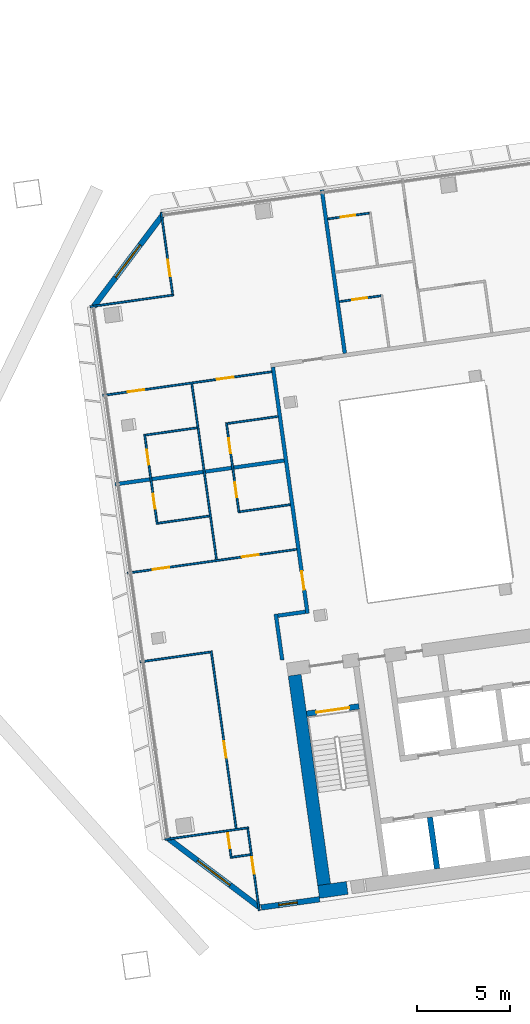
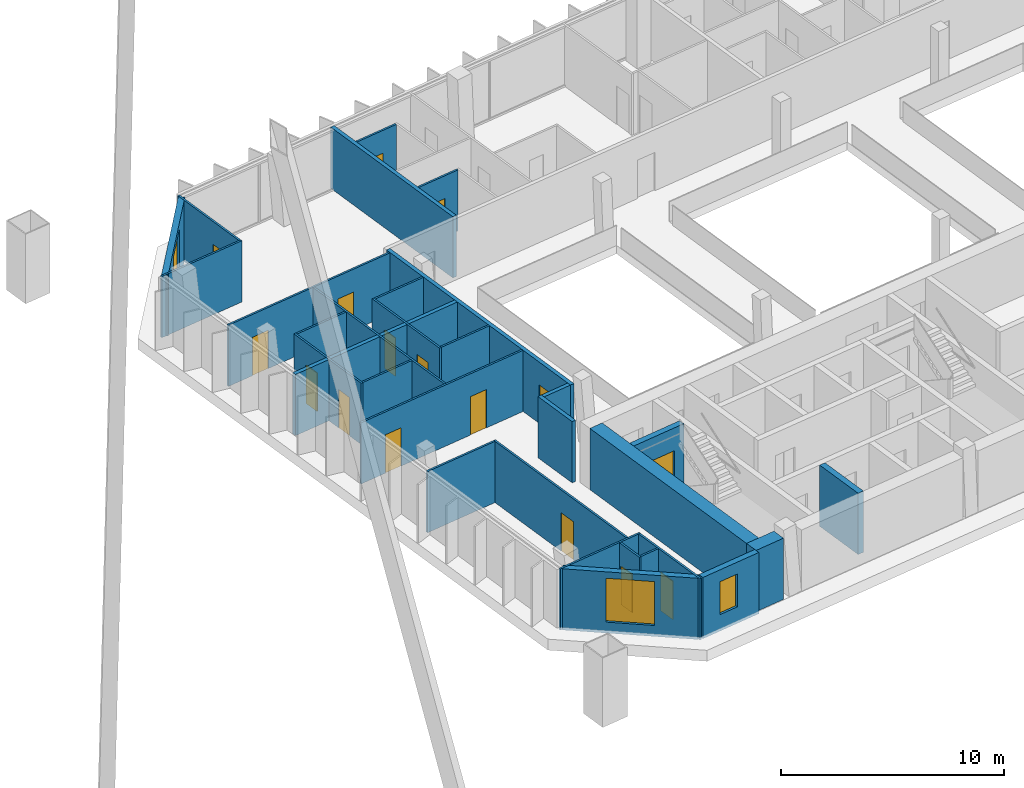
# One storey, part 20 of 26: 31 walls, 16 doors, 3 windows, 19 openings.
"""IFC4 building model written with IfcOpenShell, lengths in metres."""

from ifc_helpers import new_model, si_unit, direction, frame, frame_2d, origin, place, context, subcontext, project, spatial, rectangle, extrude, material, layer, layer_set, type_object, element, fill, save


model = new_model("IFC4")

# Units and contexts
model_context = context("Model", 3, precision=1e-05, world=origin(), true_north=direction((0.0, 1.0)))
body_context = subcontext(model_context, "Body", "Model", "MODEL_VIEW")
ifc_project = project(units=[si_unit("LENGTHUNIT", "METRE"), si_unit("AREAUNIT", "SQUARE_METRE"), si_unit("VOLUMEUNIT", "CUBIC_METRE"), si_unit("PLANEANGLEUNIT", "RADIAN"), si_unit("MASSUNIT", "GRAM", prefix="KILO")], contexts=[model_context])

# Site, building, storey
site_placement = place(None, origin())
site = spatial("IfcSite", under=ifc_project, at=site_placement, CompositionType="ELEMENT")
building_placement = place(site_placement, origin())
building = spatial("IfcBuilding", under=site, at=building_placement, Name="Mirante Cascada Hotel Towers", CompositionType="ELEMENT")
storey_placement = place(building_placement, frame((0.0, 0.0, 203.0)))
storey = spatial("IfcBuildingStorey", under=building, at=storey_placement, Name="L48", CompositionType="ELEMENT", Elevation=203.0)

# Walls
ifc_material_1 = material(Name="Fire-rated plasterboard on metal studs")
ifc_layer_1 = layer(ifc_material_1, 0.2)
ifc_layer_set_1 = layer_set([ifc_layer_1], Name="Compartment wall 200 EI 120")
wall_type_1 = type_object("IfcWallType", Name="Compartment wall 200 EI 120", PredefinedType="PARTITIONING", material=ifc_layer_set_1)
wall_1_placement = place(storey_placement, frame((35.0284, -4.7267, 0.0), z_axis=(0.0, 0.0, 1.0), x_axis=(0.9902735, 0.1391343, 0.0)))
element("IfcWall", 1, at=wall_1_placement, inside=storey, type_object=wall_type_1, Name="Wall 2-L48-07", PredefinedType="PARTITIONING", context=body_context, shape_type="SweptSolid", body=[
    extrude(rectangle(XDim=1.5, YDim=0.2, at=frame_2d((0.75, 0.0))), origin(), (0.0, 0.0, 1.0), 3.35),
])
wall_2_placement = place(storey_placement, frame((35.368, 3.6352, 0.0), z_axis=(0.0, 0.0, 1.0), x_axis=(-0.9902681, -0.1391729, 0.0)))
element("IfcWall", 2, at=wall_2_placement, inside=storey, type_object=wall_type_1, Name="Wall 2-L48-14", PredefinedType="PARTITIONING", context=body_context, shape_type="SweptSolid", body=[
    extrude(rectangle(XDim=9.2044, YDim=0.2, at=frame_2d((4.6022, 0.0))), origin(), (0.0, 0.0, 1.0), 3.35),
])
wall_3_placement = place(storey_placement, frame((35.2634, -7.1173, 0.0), z_axis=(0.0, 0.0, 1.0), x_axis=(-0.1391586, 0.9902701, 0.0)))
element("IfcWall", 3, at=wall_3_placement, inside=storey, type_object=wall_type_1, Name="Wall 2-L48-37", PredefinedType="PARTITIONING", context=body_context, shape_type="SweptSolid", body=[
    extrude(rectangle(XDim=2.5, YDim=0.2, at=frame_2d((1.25, 0.0))), origin(), (0.0, 0.0, 1.0), 3.35),
])

# Wall, opening, door
wall_4_placement = place(storey_placement, frame((34.7618, 8.6665, 0.0), z_axis=(0.0, 0.0, 1.0), x_axis=(0.1391789, -0.9902673, 0.0)))
wall_4 = element("IfcWall", 4, at=wall_4_placement, inside=storey, type_object=wall_type_1, Name="Wall 2-L48-38", PredefinedType="PARTITIONING", context=body_context, shape_type="SweptSolid", body=[
    extrude(rectangle(XDim=13.4, YDim=0.2, at=frame_2d((6.7, 0.0))), origin(), (0.0, 0.0, 1.0), 3.35),
])
opening_1_placement = place(wall_4_placement, frame((11.1, 0.0, 0.0)))
opening_1 = element("IfcOpeningElement", 5, at=opening_1_placement, cuts=wall_4, Name="Opening D2-L48-24", PredefinedType="OPENING", context=body_context, shape_type="SweptSolid", body=[
    extrude(rectangle(XDim=1.0, YDim=2.1, at=frame_2d((0.5, 1.05))), frame((0.0, 0.1, 0.0), z_axis=(0.0, -1.0, 0.0), x_axis=(1.0, 0.0, 0.0)), (0.0, 0.0, 1.0), 0.2),
])
ifc_material_2 = material(Name="Fire-rated timber door leaf", Category="wood")
door_type_1 = type_object("IfcDoorType", Name="Entrance door DG1 1000x2100 EI 60", OperationType="SINGLE_SWING_LEFT", PredefinedType="DOOR", material=ifc_material_2)
door_1_placement = place(opening_1_placement, frame((1.0, 0.0, 0.0), z_axis=(0.0, 0.0, 1.0), x_axis=(-1.0, 0.0, 0.0)))
door_1 = element("IfcDoor", 6, at=door_1_placement, inside=storey, type_object=door_type_1, Name="Door D2-L48-24", OperationType="SINGLE_SWING_RIGHT", OverallHeight=2.1, OverallWidth=1.0, PredefinedType="DOOR", context=body_context, shape_type="SweptSolid", body=[
    extrude(rectangle(XDim=1.0, YDim=2.1, at=frame_2d((0.5, 1.05))), frame((0.0, 0.025, 0.0), z_axis=(0.0, -1.0, 0.0), x_axis=(1.0, 0.0, 0.0)), (0.0, 0.0, 1.0), 0.05),
])
fill(opening_1, door_1)

# Walls
wall_5_placement = place(storey_placement, frame((38.6376, 9.4132, 0.0), z_axis=(0.0, 0.0, 1.0), x_axis=(-0.1391794, 0.9902672, 0.0)))
element("IfcWall", 7, at=wall_5_placement, inside=storey, type_object=wall_type_1, Name="Wall 2-L48-39", PredefinedType="PARTITIONING", context=body_context, shape_type="SweptSolid", body=[
    extrude(rectangle(XDim=8.9, YDim=0.2, at=frame_2d((4.45, 0.0))), origin(), (0.0, 0.0, 1.0), 3.35),
])
ifc_material_3 = material(Name="Plasterboard on metal studs")
ifc_layer_2 = layer(ifc_material_3, 0.1)
ifc_layer_set_2 = layer_set([ifc_layer_2], Name="Partition 100")
wall_type_2 = type_object("IfcWallType", Name="Partition 100", PredefinedType="PARTITIONING", material=ifc_layer_set_2)
wall_6_placement = place(storey_placement, frame((32.5621, -17.7467, 0.0), z_axis=(0.0, 0.0, 1.0), x_axis=(0.990265, 0.1391951, 0.0)))
element("IfcWall", 8, at=wall_6_placement, inside=storey, type_object=wall_type_2, Name="Wall 2-L48-01", PredefinedType="PARTITIONING", context=body_context, shape_type="SweptSolid", body=[
    extrude(rectangle(XDim=1.0, YDim=0.1, at=frame_2d((0.5, 0.0))), origin(), (0.0, 0.0, 1.0), 3.35),
])
wall_7_placement = place(storey_placement, frame((33.4496, -16.1577, 0.0), z_axis=(0.0, 0.0, 1.0), x_axis=(-0.9902691, -0.1391656, 0.0)))
element("IfcWall", 9, at=wall_7_placement, inside=storey, type_object=wall_type_2, Name="Wall 2-L48-02", PredefinedType="PARTITIONING", context=body_context, shape_type="SweptSolid", body=[
    extrude(rectangle(XDim=4.55, YDim=0.1, at=frame_2d((2.275, 0.0))), origin(), (0.0, 0.0, 1.0), 3.35),
])
wall_8_placement = place(storey_placement, frame((27.5986, -7.2183, 0.0), z_axis=(0.0, 0.0, 1.0), x_axis=(0.9902669, 0.1391813, 0.0)))
element("IfcWall", 10, at=wall_8_placement, inside=storey, type_object=wall_type_2, Name="Wall 2-L48-05", PredefinedType="PARTITIONING", context=body_context, shape_type="SweptSolid", body=[
    extrude(rectangle(XDim=3.8317, YDim=0.1, at=frame_2d((1.9158, 0.0))), origin(), (0.0, 0.0, 1.0), 3.35),
])

# Wall, openings, doors
wall_9_placement = place(storey_placement, frame((36.0406, -1.151, 0.0), z_axis=(0.0, 0.0, 1.0), x_axis=(-0.9902679, -0.1391744, 0.0)))
wall_9 = element("IfcWall", 11, at=wall_9_placement, inside=storey, type_object=wall_type_2, Name="Wall 2-L48-08", PredefinedType="PARTITIONING", context=body_context, shape_type="SweptSolid", body=[
    extrude(rectangle(XDim=9.2043, YDim=0.1, at=frame_2d((4.6022, 0.0))), origin(), (0.0, 0.0, 1.0), 3.35),
])
opening_2_placement = place(wall_9_placement, frame((6.9282, 0.0, 0.0)))
opening_2 = element("IfcOpeningElement", 12, at=opening_2_placement, cuts=wall_9, Name="Opening D2-L48-02", PredefinedType="OPENING", context=body_context, shape_type="SweptSolid", body=[
    extrude(rectangle(XDim=0.9, YDim=2.1, at=frame_2d((0.45, 1.05))), frame((0.0, 0.05, 0.0), z_axis=(0.0, -1.0, 0.0), x_axis=(1.0, 0.0, 0.0)), (0.0, 0.0, 1.0), 0.1),
])
opening_3_placement = place(wall_9_placement, frame((2.0761, 0.0, 0.0)))
opening_3 = element("IfcOpeningElement", 13, at=opening_3_placement, cuts=wall_9, Name="Opening D2-L48-03", PredefinedType="OPENING", context=body_context, shape_type="SweptSolid", body=[
    extrude(rectangle(XDim=0.9, YDim=2.1, at=frame_2d((0.45, 1.05))), frame((0.0, 0.05, 0.0), z_axis=(0.0, -1.0, 0.0), x_axis=(1.0, 0.0, 0.0)), (0.0, 0.0, 1.0), 0.1),
])
ifc_material_4 = material(Name="Timber door leaf", Category="wood")
door_type_2 = type_object("IfcDoorType", Name="Room door DG3 900x2100", OperationType="SINGLE_SWING_LEFT", PredefinedType="DOOR", material=ifc_material_4)
door_2_placement = place(opening_2_placement, origin())
door_2 = element("IfcDoor", 14, at=door_2_placement, inside=storey, type_object=door_type_2, Name="Door D2-L48-02", OperationType="SINGLE_SWING_LEFT", OverallHeight=2.1, OverallWidth=0.9, PredefinedType="DOOR", context=body_context, shape_type="SweptSolid", body=[
    extrude(rectangle(XDim=0.9, YDim=2.1, at=frame_2d((0.45, 1.05))), frame((0.0, 0.025, 0.0), z_axis=(0.0, -1.0, 0.0), x_axis=(1.0, 0.0, 0.0)), (0.0, 0.0, 1.0), 0.05),
])
fill(opening_2, door_2)
door_3_placement = place(opening_3_placement, origin())
door_3 = element("IfcDoor", 15, at=door_3_placement, inside=storey, type_object=door_type_2, Name="Door D2-L48-03", OperationType="SINGLE_SWING_LEFT", OverallHeight=2.1, OverallWidth=0.9, PredefinedType="DOOR", context=body_context, shape_type="SweptSolid", body=[
    extrude(rectangle(XDim=0.9, YDim=2.1, at=frame_2d((0.45, 1.05))), frame((0.0, 0.025, 0.0), z_axis=(0.0, -1.0, 0.0), x_axis=(1.0, 0.0, 0.0)), (0.0, 0.0, 1.0), 0.05),
])
fill(opening_3, door_3)

# Walls
wall_10_placement = place(storey_placement, frame((28.5699, 0.2562, 0.0), z_axis=(0.0, 0.0, 1.0), x_axis=(0.990267, 0.139181, 0.0)))
element("IfcWall", 16, at=wall_10_placement, inside=storey, type_object=wall_type_2, Name="Wall 2-L48-11", PredefinedType="PARTITIONING", context=body_context, shape_type="SweptSolid", body=[
    extrude(rectangle(XDim=2.8, YDim=0.1, at=frame_2d((1.4, 0.0))), origin(), (0.0, 0.0, 1.0), 3.35),
])
wall_11_placement = place(storey_placement, frame((35.702, 1.2586, 0.0), z_axis=(0.0, 0.0, 1.0), x_axis=(-0.9902648, -0.1391963, 0.0)))
element("IfcWall", 17, at=wall_11_placement, inside=storey, type_object=wall_type_2, Name="Wall 2-L48-12", PredefinedType="PARTITIONING", context=body_context, shape_type="SweptSolid", body=[
    extrude(rectangle(XDim=2.7501, YDim=0.1, at=frame_2d((1.3751, 0.0))), origin(), (0.0, 0.0, 1.0), 3.35),
])
wall_12_placement = place(storey_placement, frame((27.9018, 5.0095, 0.0), z_axis=(0.0, 0.0, 1.0), x_axis=(0.9902677, 0.139176, 0.0)))
element("IfcWall", 18, at=wall_12_placement, inside=storey, type_object=wall_type_2, Name="Wall 2-L48-15", PredefinedType="PARTITIONING", context=body_context, shape_type="SweptSolid", body=[
    extrude(rectangle(XDim=2.8001, YDim=0.1, at=frame_2d((1.4, 0.0))), origin(), (0.0, 0.0, 1.0), 3.35),
])
wall_13_placement = place(storey_placement, frame((35.034, 6.0119, 0.0), z_axis=(0.0, 0.0, 1.0), x_axis=(-0.9902648, -0.1391963, 0.0)))
element("IfcWall", 19, at=wall_13_placement, inside=storey, type_object=wall_type_2, Name="Wall 2-L48-16", PredefinedType="PARTITIONING", context=body_context, shape_type="SweptSolid", body=[
    extrude(rectangle(XDim=2.7501, YDim=0.1, at=frame_2d((1.3751, 0.0))), origin(), (0.0, 0.0, 1.0), 3.35),
])

# Wall, openings, doors
wall_14_placement = place(storey_placement, frame((25.5806, 7.1406, 0.0), z_axis=(0.0, 0.0, 1.0), x_axis=(0.9902679, 0.1391744, 0.0)))
wall_14 = element("IfcWall", 20, at=wall_14_placement, inside=storey, type_object=wall_type_2, Name="Wall 2-L48-17", PredefinedType="PARTITIONING", context=body_context, shape_type="SweptSolid", body=[
    extrude(rectangle(XDim=9.2043, YDim=0.1, at=frame_2d((4.6022, 0.0))), origin(), (0.0, 0.0, 1.0), 3.35),
])
opening_4_placement = place(wall_14_placement, frame((1.3761, 0.0, 0.0)))
opening_4 = element("IfcOpeningElement", 21, at=opening_4_placement, cuts=wall_14, Name="Opening D2-L48-04", PredefinedType="OPENING", context=body_context, shape_type="SweptSolid", body=[
    extrude(rectangle(XDim=0.9, YDim=2.1, at=frame_2d((0.45, 1.05))), frame((0.0, 0.05, 0.0), z_axis=(0.0, -1.0, 0.0), x_axis=(1.0, 0.0, 0.0)), (0.0, 0.0, 1.0), 0.1),
])
opening_5_placement = place(wall_14_placement, frame((6.2282, 0.0, 0.0)))
opening_5 = element("IfcOpeningElement", 22, at=opening_5_placement, cuts=wall_14, Name="Opening D2-L48-05", PredefinedType="OPENING", context=body_context, shape_type="SweptSolid", body=[
    extrude(rectangle(XDim=0.9, YDim=2.1, at=frame_2d((0.45, 1.05))), frame((0.0, 0.05, 0.0), z_axis=(0.0, -1.0, 0.0), x_axis=(1.0, 0.0, 0.0)), (0.0, 0.0, 1.0), 0.1),
])
door_4_placement = place(opening_4_placement, origin())
door_4 = element("IfcDoor", 23, at=door_4_placement, inside=storey, type_object=door_type_2, Name="Door D2-L48-04", OperationType="SINGLE_SWING_LEFT", OverallHeight=2.1, OverallWidth=0.9, PredefinedType="DOOR", context=body_context, shape_type="SweptSolid", body=[
    extrude(rectangle(XDim=0.9, YDim=2.1, at=frame_2d((0.45, 1.05))), frame((0.0, 0.025, 0.0), z_axis=(0.0, -1.0, 0.0), x_axis=(1.0, 0.0, 0.0)), (0.0, 0.0, 1.0), 0.05),
])
fill(opening_4, door_4)
door_5_placement = place(opening_5_placement, origin())
door_5 = element("IfcDoor", 24, at=door_5_placement, inside=storey, type_object=door_type_2, Name="Door D2-L48-05", OperationType="SINGLE_SWING_LEFT", OverallHeight=2.1, OverallWidth=0.9, PredefinedType="DOOR", context=body_context, shape_type="SweptSolid", body=[
    extrude(rectangle(XDim=0.9, YDim=2.1, at=frame_2d((0.45, 1.05))), frame((0.0, 0.025, 0.0), z_axis=(0.0, -1.0, 0.0), x_axis=(1.0, 0.0, 0.0)), (0.0, 0.0, 1.0), 0.05),
])
fill(opening_5, door_5)

# Wall, opening, door
wall_15_placement = place(storey_placement, frame((38.3469, 12.1999, 0.0), z_axis=(0.0, 0.0, 1.0), x_axis=(0.9902705, 0.1391561, 0.0)))
wall_15 = element("IfcWall", 25, at=wall_15_placement, inside=storey, type_object=wall_type_2, Name="Wall 2-L48-19", PredefinedType="PARTITIONING", context=body_context, shape_type="SweptSolid", body=[
    extrude(rectangle(XDim=2.25, YDim=0.1, at=frame_2d((1.125, 0.0))), origin(), (0.0, 0.0, 1.0), 3.35),
])
opening_6_placement = place(wall_15_placement, frame((0.7, 0.0, 0.0)))
opening_6 = element("IfcOpeningElement", 26, at=opening_6_placement, cuts=wall_15, Name="Opening D2-L48-09", PredefinedType="OPENING", context=body_context, shape_type="SweptSolid", body=[
    extrude(rectangle(XDim=0.8, YDim=2.1, at=frame_2d((0.4, 1.05))), frame((0.0, 0.05, 0.0), z_axis=(0.0, -1.0, 0.0), x_axis=(1.0, 0.0, 0.0)), (0.0, 0.0, 1.0), 0.1),
])
ifc_material_5 = material(Name="Timber door leaf", Category="wood")
door_type_3 = type_object("IfcDoorType", Name="Bathroom door DG4 800x2100", OperationType="SINGLE_SWING_LEFT", PredefinedType="DOOR", material=ifc_material_5)
door_6_placement = place(opening_6_placement, frame((0.8, 0.0, 0.0), z_axis=(0.0, 0.0, 1.0), x_axis=(-1.0, 0.0, 0.0)))
door_6 = element("IfcDoor", 27, at=door_6_placement, inside=storey, type_object=door_type_3, Name="Door D2-L48-09", OperationType="SINGLE_SWING_RIGHT", OverallHeight=2.1, OverallWidth=0.8, PredefinedType="DOOR", context=body_context, shape_type="SweptSolid", body=[
    extrude(rectangle(XDim=0.8, YDim=2.1, at=frame_2d((0.4, 1.05))), frame((0.0, 0.025, 0.0), z_axis=(0.0, -1.0, 0.0), x_axis=(1.0, 0.0, 0.0)), (0.0, 0.0, 1.0), 0.05),
])
fill(opening_6, door_6)

# Wall
wall_16_placement = place(storey_placement, frame((24.9079, 11.9269, 0.0), z_axis=(0.0, 0.0, 1.0), x_axis=(0.9902691, 0.1391656, 0.0)))
element("IfcWall", 28, at=wall_16_placement, inside=storey, type_object=wall_type_2, Name="Wall 2-L48-25", PredefinedType="PARTITIONING", context=body_context, shape_type="SweptSolid", body=[
    extrude(rectangle(XDim=4.55, YDim=0.1, at=frame_2d((2.275, 0.0))), origin(), (0.0, 0.0, 1.0), 3.35),
])

# Wall, opening, door
wall_17_placement = place(storey_placement, frame((39.9487, 16.9692, 0.0), z_axis=(0.0, 0.0, 1.0), x_axis=(-0.9902705, -0.1391561, 0.0)))
wall_17 = element("IfcWall", 29, at=wall_17_placement, inside=storey, type_object=wall_type_2, Name="Wall 2-L48-28", PredefinedType="PARTITIONING", context=body_context, shape_type="SweptSolid", body=[
    extrude(rectangle(XDim=2.25, YDim=0.1, at=frame_2d((1.125, 0.0))), origin(), (0.0, 0.0, 1.0), 3.35),
])
opening_7_placement = place(wall_17_placement, frame((0.75, 0.0, 0.0)))
opening_7 = element("IfcOpeningElement", 30, at=opening_7_placement, cuts=wall_17, Name="Opening D2-L48-14", PredefinedType="OPENING", context=body_context, shape_type="SweptSolid", body=[
    extrude(rectangle(XDim=0.8, YDim=2.1, at=frame_2d((0.4, 1.05))), frame((0.0, 0.05, 0.0), z_axis=(0.0, -1.0, 0.0), x_axis=(1.0, 0.0, 0.0)), (0.0, 0.0, 1.0), 0.1),
])
door_7_placement = place(opening_7_placement, origin())
door_7 = element("IfcDoor", 31, at=door_7_placement, inside=storey, type_object=door_type_3, Name="Door D2-L48-14", OperationType="SINGLE_SWING_LEFT", OverallHeight=2.1, OverallWidth=0.8, PredefinedType="DOOR", context=body_context, shape_type="SweptSolid", body=[
    extrude(rectangle(XDim=0.8, YDim=2.1, at=frame_2d((0.4, 1.05))), frame((0.0, 0.025, 0.0), z_axis=(0.0, -1.0, 0.0), x_axis=(1.0, 0.0, 0.0)), (0.0, 0.0, 1.0), 0.05),
])
fill(opening_7, door_7)

# Wall, openings, doors
wall_18_placement = place(storey_placement, frame((27.8454, 5.0521, 0.0), z_axis=(0.0, 0.0, 1.0), x_axis=(0.1391638, -0.9902694, 0.0)))
wall_18 = element("IfcWall", 32, at=wall_18_placement, inside=storey, type_object=wall_type_2, Name="Wall 2-L48-30", PredefinedType="PARTITIONING", context=body_context, shape_type="SweptSolid", body=[
    extrude(rectangle(XDim=4.9, YDim=0.1, at=frame_2d((2.45, 0.0))), origin(), (0.0, 0.0, 1.0), 3.35),
])
opening_8_placement = place(wall_18_placement, frame((3.25, 0.0, 0.0)))
opening_8 = element("IfcOpeningElement", 33, at=opening_8_placement, cuts=wall_18, Name="Opening D2-L48-16", PredefinedType="OPENING", context=body_context, shape_type="SweptSolid", body=[
    extrude(rectangle(XDim=0.8, YDim=2.1, at=frame_2d((0.4, 1.05))), frame((0.0, 0.05, 0.0), z_axis=(0.0, -1.0, 0.0), x_axis=(1.0, 0.0, 0.0)), (0.0, 0.0, 1.0), 0.1),
])
opening_9_placement = place(wall_18_placement, frame((0.85, 0.0, 0.0)))
opening_9 = element("IfcOpeningElement", 34, at=opening_9_placement, cuts=wall_18, Name="Opening D2-L48-17", PredefinedType="OPENING", context=body_context, shape_type="SweptSolid", body=[
    extrude(rectangle(XDim=0.8, YDim=2.1, at=frame_2d((0.4, 1.05))), frame((0.0, 0.05, 0.0), z_axis=(0.0, -1.0, 0.0), x_axis=(1.0, 0.0, 0.0)), (0.0, 0.0, 1.0), 0.1),
])
door_8_placement = place(opening_8_placement, origin())
door_8 = element("IfcDoor", 35, at=door_8_placement, inside=storey, type_object=door_type_3, Name="Door D2-L48-16", OperationType="SINGLE_SWING_LEFT", OverallHeight=2.1, OverallWidth=0.8, PredefinedType="DOOR", context=body_context, shape_type="SweptSolid", body=[
    extrude(rectangle(XDim=0.8, YDim=2.1, at=frame_2d((0.4, 1.05))), frame((0.0, 0.025, 0.0), z_axis=(0.0, -1.0, 0.0), x_axis=(1.0, 0.0, 0.0)), (0.0, 0.0, 1.0), 0.05),
])
fill(opening_8, door_8)
door_9_placement = place(opening_9_placement, origin())
door_9 = element("IfcDoor", 36, at=door_9_placement, inside=storey, type_object=door_type_3, Name="Door D2-L48-17", OperationType="SINGLE_SWING_LEFT", OverallHeight=2.1, OverallWidth=0.8, PredefinedType="DOOR", context=body_context, shape_type="SweptSolid", body=[
    extrude(rectangle(XDim=0.8, YDim=2.1, at=frame_2d((0.4, 1.05))), frame((0.0, 0.025, 0.0), z_axis=(0.0, -1.0, 0.0), x_axis=(1.0, 0.0, 0.0)), (0.0, 0.0, 1.0), 0.05),
])
fill(opening_9, door_9)

# Wall, opening, door
wall_19_placement = place(storey_placement, frame((32.5196, -17.8031, 0.0), z_axis=(0.0, 0.0, 1.0), x_axis=(-0.1391714, 0.9902683, 0.0)))
wall_19 = element("IfcWall", 37, at=wall_19_placement, inside=storey, type_object=wall_type_2, Name="Wall 2-L48-31", PredefinedType="PARTITIONING", context=body_context, shape_type="SweptSolid", body=[
    extrude(rectangle(XDim=1.45, YDim=0.1, at=frame_2d((0.725, 0.0))), origin(), (0.0, 0.0, 1.0), 3.35),
])
opening_10_placement = place(wall_19_placement, frame((0.55, 0.0, 0.0)))
opening_10 = element("IfcOpeningElement", 38, at=opening_10_placement, cuts=wall_19, Name="Opening D2-L48-18", PredefinedType="OPENING", context=body_context, shape_type="SweptSolid", body=[
    extrude(rectangle(XDim=0.8, YDim=2.1, at=frame_2d((0.4, 1.05))), frame((0.0, 0.05, 0.0), z_axis=(0.0, -1.0, 0.0), x_axis=(1.0, 0.0, 0.0)), (0.0, 0.0, 1.0), 0.1),
])
door_10_placement = place(opening_10_placement, frame((0.8, 0.0, 0.0), z_axis=(0.0, 0.0, 1.0), x_axis=(-1.0, 0.0, 0.0)))
door_10 = element("IfcDoor", 39, at=door_10_placement, inside=storey, type_object=door_type_3, Name="Door D2-L48-18", OperationType="SINGLE_SWING_RIGHT", OverallHeight=2.1, OverallWidth=0.8, PredefinedType="DOOR", context=body_context, shape_type="SweptSolid", body=[
    extrude(rectangle(XDim=0.8, YDim=2.1, at=frame_2d((0.4, 1.05))), frame((0.0, 0.025, 0.0), z_axis=(0.0, -1.0, 0.0), x_axis=(1.0, 0.0, 0.0)), (0.0, 0.0, 1.0), 0.05),
])
fill(opening_10, door_10)

wall_20_placement = place(storey_placement, frame((31.4355, -6.6286, 0.0), z_axis=(0.0, 0.0, 1.0), x_axis=(0.1391791, -0.9902672, 0.0)))
wall_20 = element("IfcWall", 40, at=wall_20_placement, inside=storey, type_object=wall_type_2, Name="Wall 2-L48-32", PredefinedType="PARTITIONING", context=body_context, shape_type="SweptSolid", body=[
    extrude(rectangle(XDim=9.6667, YDim=0.1, at=frame_2d((4.8334, 0.0))), origin(), (0.0, 0.0, 1.0), 3.35),
])
opening_11_placement = place(wall_20_placement, frame((4.9167, 0.0, 0.0)))
opening_11 = element("IfcOpeningElement", 41, at=opening_11_placement, cuts=wall_20, Name="Opening D2-L48-19", PredefinedType="OPENING", context=body_context, shape_type="SweptSolid", body=[
    extrude(rectangle(XDim=0.9, YDim=2.1, at=frame_2d((0.45, 1.05))), frame((0.0, 0.05, 0.0), z_axis=(0.0, -1.0, 0.0), x_axis=(1.0, 0.0, 0.0)), (0.0, 0.0, 1.0), 0.1),
])
door_11_placement = place(opening_11_placement, origin())
door_11 = element("IfcDoor", 42, at=door_11_placement, inside=storey, type_object=door_type_2, Name="Door D2-L48-19", OperationType="SINGLE_SWING_LEFT", OverallHeight=2.1, OverallWidth=0.9, PredefinedType="DOOR", context=body_context, shape_type="SweptSolid", body=[
    extrude(rectangle(XDim=0.9, YDim=2.1, at=frame_2d((0.45, 1.05))), frame((0.0, 0.025, 0.0), z_axis=(0.0, -1.0, 0.0), x_axis=(1.0, 0.0, 0.0)), (0.0, 0.0, 1.0), 0.05),
])
fill(opening_11, door_11)

wall_21_placement = place(storey_placement, frame((34.0264, -20.6208, 0.0), z_axis=(0.0, 0.0, 1.0), x_axis=(-0.1391715, 0.9902683, 0.0)))
wall_21 = element("IfcWall", 43, at=wall_21_placement, inside=storey, type_object=wall_type_2, Name="Wall 2-L48-33", PredefinedType="PARTITIONING", context=body_context, shape_type="SweptSolid", body=[
    extrude(rectangle(XDim=4.4499, YDim=0.1, at=frame_2d((2.225, 0.0))), origin(), (0.0, 0.0, 1.0), 3.35),
])
opening_12_placement = place(wall_21_placement, frame((2.0, 0.0, 0.0)))
opening_12 = element("IfcOpeningElement", 44, at=opening_12_placement, cuts=wall_21, Name="Opening D2-L48-20", PredefinedType="OPENING", context=body_context, shape_type="SweptSolid", body=[
    extrude(rectangle(XDim=0.9, YDim=2.1, at=frame_2d((0.45, 1.05))), frame((0.0, 0.05, 0.0), z_axis=(0.0, -1.0, 0.0), x_axis=(1.0, 0.0, 0.0)), (0.0, 0.0, 1.0), 0.1),
])
door_12_placement = place(opening_12_placement, frame((0.9, 0.0, 0.0), z_axis=(0.0, 0.0, 1.0), x_axis=(-1.0, 0.0, 0.0)))
door_12 = element("IfcDoor", 45, at=door_12_placement, inside=storey, type_object=door_type_2, Name="Door D2-L48-20", OperationType="SINGLE_SWING_RIGHT", OverallHeight=2.1, OverallWidth=0.9, PredefinedType="DOOR", context=body_context, shape_type="SweptSolid", body=[
    extrude(rectangle(XDim=0.9, YDim=2.1, at=frame_2d((0.45, 1.05))), frame((0.0, 0.025, 0.0), z_axis=(0.0, -1.0, 0.0), x_axis=(1.0, 0.0, 0.0)), (0.0, 0.0, 1.0), 0.05),
])
fill(opening_12, door_12)

wall_22_placement = place(storey_placement, frame((28.7378, 17.0093, 0.0), z_axis=(0.0, 0.0, 1.0), x_axis=(0.1391684, -0.9902687, 0.0)))
wall_22 = element("IfcWall", 46, at=wall_22_placement, inside=storey, type_object=wall_type_2, Name="Wall 2-L48-34", PredefinedType="PARTITIONING", context=body_context, shape_type="SweptSolid", body=[
    extrude(rectangle(XDim=4.45, YDim=0.1, at=frame_2d((2.225, 0.0))), origin(), (0.0, 0.0, 1.0), 3.35),
])
opening_13_placement = place(wall_22_placement, frame((2.5833, 0.0, 0.0)))
opening_13 = element("IfcOpeningElement", 47, at=opening_13_placement, cuts=wall_22, Name="Opening D2-L48-21", PredefinedType="OPENING", context=body_context, shape_type="SweptSolid", body=[
    extrude(rectangle(XDim=0.9, YDim=2.1, at=frame_2d((0.45, 1.05))), frame((0.0, 0.05, 0.0), z_axis=(0.0, -1.0, 0.0), x_axis=(1.0, 0.0, 0.0)), (0.0, 0.0, 1.0), 0.1),
])
door_13_placement = place(opening_13_placement, origin())
door_13 = element("IfcDoor", 48, at=door_13_placement, inside=storey, type_object=door_type_2, Name="Door D2-L48-21", OperationType="SINGLE_SWING_LEFT", OverallHeight=2.1, OverallWidth=0.9, PredefinedType="DOOR", context=body_context, shape_type="SweptSolid", body=[
    extrude(rectangle(XDim=0.9, YDim=2.1, at=frame_2d((0.45, 1.05))), frame((0.0, 0.025, 0.0), z_axis=(0.0, -1.0, 0.0), x_axis=(1.0, 0.0, 0.0)), (0.0, 0.0, 1.0), 0.05),
])
fill(opening_13, door_13)

# Wall
wall_23_placement = place(storey_placement, frame((31.7238, -1.7072, 0.0), z_axis=(0.0, 0.0, 1.0), x_axis=(-0.1391703, 0.9902685, 0.0)))
element("IfcWall", 49, at=wall_23_placement, inside=storey, type_object=wall_type_2, Name="Wall 2-L48-35", PredefinedType="PARTITIONING", context=body_context, shape_type="SweptSolid", body=[
    extrude(rectangle(XDim=9.5667, YDim=0.1, at=frame_2d((4.7834, 0.0))), origin(), (0.0, 0.0, 1.0), 3.35),
])

# Wall, openings, doors
wall_24_placement = place(storey_placement, frame((32.2542, 5.6717, 0.0), z_axis=(0.0, 0.0, 1.0), x_axis=(0.1391838, -0.9902666, 0.0)))
wall_24 = element("IfcWall", 50, at=wall_24_placement, inside=storey, type_object=wall_type_2, Name="Wall 2-L48-36", PredefinedType="PARTITIONING", context=body_context, shape_type="SweptSolid", body=[
    extrude(rectangle(XDim=4.9, YDim=0.1, at=frame_2d((2.45, 0.0))), origin(), (0.0, 0.0, 1.0), 3.35),
])
opening_14_placement = place(wall_24_placement, frame((3.25, 0.0, 0.0)))
opening_14 = element("IfcOpeningElement", 51, at=opening_14_placement, cuts=wall_24, Name="Opening D2-L48-22", PredefinedType="OPENING", context=body_context, shape_type="SweptSolid", body=[
    extrude(rectangle(XDim=0.8, YDim=2.1, at=frame_2d((0.4, 1.05))), frame((0.0, 0.05, 0.0), z_axis=(0.0, -1.0, 0.0), x_axis=(1.0, 0.0, 0.0)), (0.0, 0.0, 1.0), 0.1),
])
opening_15_placement = place(wall_24_placement, frame((0.85, 0.0, 0.0)))
opening_15 = element("IfcOpeningElement", 52, at=opening_15_placement, cuts=wall_24, Name="Opening D2-L48-23", PredefinedType="OPENING", context=body_context, shape_type="SweptSolid", body=[
    extrude(rectangle(XDim=0.8, YDim=2.1, at=frame_2d((0.4, 1.05))), frame((0.0, 0.05, 0.0), z_axis=(0.0, -1.0, 0.0), x_axis=(1.0, 0.0, 0.0)), (0.0, 0.0, 1.0), 0.1),
])
door_14_placement = place(opening_14_placement, origin())
door_14 = element("IfcDoor", 53, at=door_14_placement, inside=storey, type_object=door_type_3, Name="Door D2-L48-22", OperationType="SINGLE_SWING_LEFT", OverallHeight=2.1, OverallWidth=0.8, PredefinedType="DOOR", context=body_context, shape_type="SweptSolid", body=[
    extrude(rectangle(XDim=0.8, YDim=2.1, at=frame_2d((0.4, 1.05))), frame((0.0, 0.025, 0.0), z_axis=(0.0, -1.0, 0.0), x_axis=(1.0, 0.0, 0.0)), (0.0, 0.0, 1.0), 0.05),
])
fill(opening_14, door_14)
door_15_placement = place(opening_15_placement, origin())
door_15 = element("IfcDoor", 54, at=door_15_placement, inside=storey, type_object=door_type_3, Name="Door D2-L48-23", OperationType="SINGLE_SWING_LEFT", OverallHeight=2.1, OverallWidth=0.8, PredefinedType="DOOR", context=body_context, shape_type="SweptSolid", body=[
    extrude(rectangle(XDim=0.8, YDim=2.1, at=frame_2d((0.4, 1.05))), frame((0.0, 0.025, 0.0), z_axis=(0.0, -1.0, 0.0), x_axis=(1.0, 0.0, 0.0)), (0.0, 0.0, 1.0), 0.05),
])
fill(opening_15, door_15)

# Wall, opening, window
ifc_material_6 = material(Name="Precast concrete C40/50", Category="concrete")
ifc_layer_3 = layer(ifc_material_6, 0.3)
ifc_layer_set_3 = layer_set([ifc_layer_3], Name="Precast concrete C40/50 cladding wall 300")
wall_type_3 = type_object("IfcWallType", Name="Precast concrete C40/50 cladding wall 300", PredefinedType="STANDARD", material=ifc_layer_set_3)
wall_25_placement = place(storey_placement, frame((34.1284, -20.455, 0.0), z_axis=(0.0, 0.0, 1.0), x_axis=(0.9902683, 0.1391715, 0.0)))
wall_25 = element("IfcWall", 55, at=wall_25_placement, inside=storey, type_object=wall_type_3, Name="Rear cladding wall T2 L48 1", PredefinedType="STANDARD", context=body_context, shape_type="SweptSolid", body=[
    extrude(rectangle(XDim=3.1802, YDim=0.3, at=frame_2d((1.5901, 0.0))), origin(), (0.0, 0.0, 1.0), 3.35),
])
opening_16_placement = place(wall_25_placement, frame((0.9601, 0.0, 0.9)))
opening_16 = element("IfcOpeningElement", 56, at=opening_16_placement, cuts=wall_25, Name="Opening W2-48-05", PredefinedType="OPENING", context=body_context, shape_type="SweptSolid", body=[
    extrude(rectangle(XDim=1.0, YDim=1.8, at=frame_2d((0.5, 0.9))), frame((0.0, 0.15, 0.0), z_axis=(0.0, -1.0, 0.0), x_axis=(1.0, 0.0, 0.0)), (0.0, 0.0, 1.0), 0.3),
])
ifc_material_7 = material(Name="Aluminium frame with clear double glazing", Category="aluminium")
window_type_1 = type_object("IfcWindowType", Name="Punched window 1000x1800", PartitioningType="SINGLE_PANEL", PredefinedType="WINDOW", material=ifc_material_7)
window_1_placement = place(opening_16_placement, origin())
window_1 = element("IfcWindow", 57, at=window_1_placement, inside=storey, type_object=window_type_1, Name="Window W2-48-05", OverallHeight=1.8, OverallWidth=1.0, PartitioningType="SINGLE_PANEL", PredefinedType="WINDOW", context=body_context, shape_type="SweptSolid", body=[
    extrude(rectangle(XDim=1.0, YDim=1.8, at=frame_2d((0.5, 0.9))), frame((0.0, 0.03, 0.0), z_axis=(0.0, -1.0, 0.0), x_axis=(1.0, 0.0, 0.0)), (0.0, 0.0, 1.0), 0.06),
])
fill(opening_16, window_1)

wall_26_placement = place(storey_placement, frame((28.7829, 16.8199, 0.0), z_axis=(0.0, 0.0, 1.0), x_axis=(-0.6018141, -0.7986362, 0.0)))
wall_26 = element("IfcWall", 58, at=wall_26_placement, inside=storey, type_object=wall_type_3, Name="Corner cladding wall T2 L48 front inner", PredefinedType="STANDARD", context=body_context, shape_type="SweptSolid", body=[
    extrude(rectangle(XDim=6.1157, YDim=0.3, at=frame_2d((3.0578, 0.0))), origin(), (0.0, 0.0, 1.0), 3.35),
])
opening_17_placement = place(wall_26_placement, frame((1.9578, 0.0, 0.6)))
opening_17 = element("IfcOpeningElement", 59, at=opening_17_placement, cuts=wall_26, Name="Opening W2-48-03", PredefinedType="OPENING", context=body_context, shape_type="SweptSolid", body=[
    extrude(rectangle(XDim=2.2, YDim=2.4, at=frame_2d((1.1, 1.2))), frame((0.0, 0.15, 0.0), z_axis=(0.0, -1.0, 0.0), x_axis=(1.0, 0.0, 0.0)), (0.0, 0.0, 1.0), 0.3),
])
ifc_material_8 = material(Name="Aluminium frame with clear double glazing", Category="aluminium")
window_type_2 = type_object("IfcWindowType", Name="Corner suite window 2200x2400", PartitioningType="DOUBLE_PANEL_VERTICAL", PredefinedType="WINDOW", material=ifc_material_8)
window_2_placement = place(opening_17_placement, origin())
window_2 = element("IfcWindow", 60, at=window_2_placement, inside=storey, type_object=window_type_2, Name="Window W2-48-03", OverallHeight=2.4, OverallWidth=2.2, PartitioningType="SINGLE_PANEL", PredefinedType="WINDOW", context=body_context, shape_type="SweptSolid", body=[
    extrude(rectangle(XDim=2.2, YDim=2.4, at=frame_2d((1.1, 1.2))), frame((0.0, 0.03, 0.0), z_axis=(0.0, -1.0, 0.0), x_axis=(1.0, 0.0, 0.0)), (0.0, 0.0, 1.0), 0.06),
])
fill(opening_17, window_2)

wall_27_placement = place(storey_placement, frame((29.1333, -16.7458, 0.0), z_axis=(0.0, 0.0, 1.0), x_axis=(0.7986283, -0.6018245, 0.0)))
wall_27 = element("IfcWall", 61, at=wall_27_placement, inside=storey, type_object=wall_type_3, Name="Corner cladding wall T2 L48 inner rear", PredefinedType="STANDARD", context=body_context, shape_type="SweptSolid", body=[
    extrude(rectangle(XDim=6.1157, YDim=0.3, at=frame_2d((3.0578, 0.0))), origin(), (0.0, 0.0, 1.0), 3.35),
])
opening_18_placement = place(wall_27_placement, frame((1.9578, 0.0, 0.6)))
opening_18 = element("IfcOpeningElement", 62, at=opening_18_placement, cuts=wall_27, Name="Opening W2-48-04", PredefinedType="OPENING", context=body_context, shape_type="SweptSolid", body=[
    extrude(rectangle(XDim=2.2, YDim=2.4, at=frame_2d((1.1, 1.2))), frame((0.0, 0.15, 0.0), z_axis=(0.0, -1.0, 0.0), x_axis=(1.0, 0.0, 0.0)), (0.0, 0.0, 1.0), 0.3),
])
window_3_placement = place(opening_18_placement, origin())
window_3 = element("IfcWindow", 63, at=window_3_placement, inside=storey, type_object=window_type_2, Name="Window W2-48-04", OverallHeight=2.4, OverallWidth=2.2, PartitioningType="SINGLE_PANEL", PredefinedType="WINDOW", context=body_context, shape_type="SweptSolid", body=[
    extrude(rectangle(XDim=2.2, YDim=2.4, at=frame_2d((1.1, 1.2))), frame((0.0, 0.03, 0.0), z_axis=(0.0, -1.0, 0.0), x_axis=(1.0, 0.0, 0.0)), (0.0, 0.0, 1.0), 0.06),
])
fill(opening_18, window_3)

# Wall, opening, door
ifc_material_9 = material(Name="Concrete C50/60", Category="concrete")
ifc_layer_4 = layer(ifc_material_9, 0.3)
ifc_layer_set_4 = layer_set([ifc_layer_4], Name="RC core wall 300 C50/60")
wall_type_4 = type_object("IfcWallType", Name="RC core wall 300 C50/60", PredefinedType="SHEAR", material=ifc_layer_set_4)
wall_28_placement = place(storey_placement, frame((36.5791, -10.0123, 0.0), z_axis=(0.0, 0.0, 1.0), x_axis=(0.9902704, 0.1391564, 0.0)))
wall_28 = element("IfcWall", 64, at=wall_28_placement, inside=storey, type_object=wall_type_4, Name="Core wall T2:L48:8", PredefinedType="SHEAR", context=body_context, shape_type="SweptSolid", body=[
    extrude(rectangle(XDim=2.85, YDim=0.3, at=frame_2d((1.425, 0.0))), origin(), (0.0, 0.0, 1.0), 3.35),
])
opening_19_placement = place(wall_28_placement, frame((0.525, 0.0, 0.0)))
opening_19 = element("IfcOpeningElement", 65, at=opening_19_placement, cuts=wall_28, Name="Opening D2-48-C07", PredefinedType="OPENING", context=body_context, shape_type="SweptSolid", body=[
    extrude(rectangle(XDim=1.8, YDim=2.1, at=frame_2d((0.9, 1.05))), frame((0.0, 0.15, 0.0), z_axis=(0.0, -1.0, 0.0), x_axis=(1.0, 0.0, 0.0)), (0.0, 0.0, 1.0), 0.3),
])
ifc_material_10 = material(Name="Hollow metal fire door leaf")
door_type_4 = type_object("IfcDoorType", Name="Double fire door 1800x2100 FD60", OperationType="DOUBLE_DOOR_SINGLE_SWING", PredefinedType="DOOR", material=ifc_material_10)
door_16_placement = place(opening_19_placement, frame((1.8, 0.0, 0.0), z_axis=(0.0, 0.0, 1.0), x_axis=(-1.0, 0.0, 0.0)))
door_16 = element("IfcDoor", 66, at=door_16_placement, inside=storey, type_object=door_type_4, Name="Stair door T2 L48 7", OperationType="DOUBLE_DOOR_SINGLE_SWING", OverallHeight=2.1, OverallWidth=1.8, PredefinedType="DOOR", context=body_context, shape_type="SweptSolid", body=[
    extrude(rectangle(XDim=0.895, YDim=2.1, at=frame_2d((0.4475, 1.05))), frame((0.0, 0.025, 0.0), z_axis=(0.0, -1.0, 0.0), x_axis=(1.0, 0.0, 0.0)), (0.0, 0.0, 1.0), 0.05),
    extrude(rectangle(XDim=0.895, YDim=2.1, at=frame_2d((1.3525, 1.05))), frame((0.0, 0.025, 0.0), z_axis=(0.0, -1.0, 0.0), x_axis=(1.0, 0.0, 0.0)), (0.0, 0.0, 1.0), 0.05),
])
fill(opening_19, door_16)

# Walls
wall_29_placement = place(storey_placement, frame((43.61, -18.3651, 0.0), z_axis=(0.0, 0.0, 1.0), x_axis=(-0.1391459, 0.9902719, 0.0)))
element("IfcWall", 67, at=wall_29_placement, inside=storey, type_object=wall_type_4, Name="Core wall T2:L48:13", PredefinedType="SHEAR", context=body_context, shape_type="SweptSolid", body=[
    extrude(rectangle(XDim=2.7999, YDim=0.3, at=frame_2d((1.4, 0.0))), origin(), (0.0, 0.0, 1.0), 3.35),
])
ifc_material_11 = material(Name="Concrete C50/60", Category="concrete")
ifc_layer_5 = layer(ifc_material_11, 0.7)
ifc_layer_set_5 = layer_set([ifc_layer_5], Name="RC core wall 700 C50/60")
wall_type_5 = type_object("IfcWallType", Name="RC core wall 700 C50/60", PredefinedType="SHEAR", material=ifc_layer_set_5)
wall_30_placement = place(storey_placement, frame((37.222, -19.6163, 0.0), z_axis=(0.0, 0.0, 1.0), x_axis=(0.9902727, 0.1391398, 0.0)))
element("IfcWall", 68, at=wall_30_placement, inside=storey, type_object=wall_type_5, Name="Core wall T2:L48:1.1", PredefinedType="SHEAR", context=body_context, shape_type="SweptSolid", body=[
    extrude(rectangle(XDim=1.5589, YDim=0.7, at=frame_2d((0.7794, 0.0))), origin(), (0.0, 0.0, 1.0), 3.35),
])
wall_31_placement = place(storey_placement, frame((37.5199, -19.221, 0.0), z_axis=(0.0, 0.0, 1.0), x_axis=(-0.1391761, 0.9902677, 0.0)))
element("IfcWall", 69, at=wall_31_placement, inside=storey, type_object=wall_type_5, Name="Core wall T2:L48:3", PredefinedType="SHEAR", context=body_context, shape_type="SweptSolid", body=[
    extrude(rectangle(XDim=11.3999, YDim=0.7, at=frame_2d((5.7, 0.0))), origin(), (0.0, 0.0, 1.0), 3.35),
])

save(model, "model.ifc")
